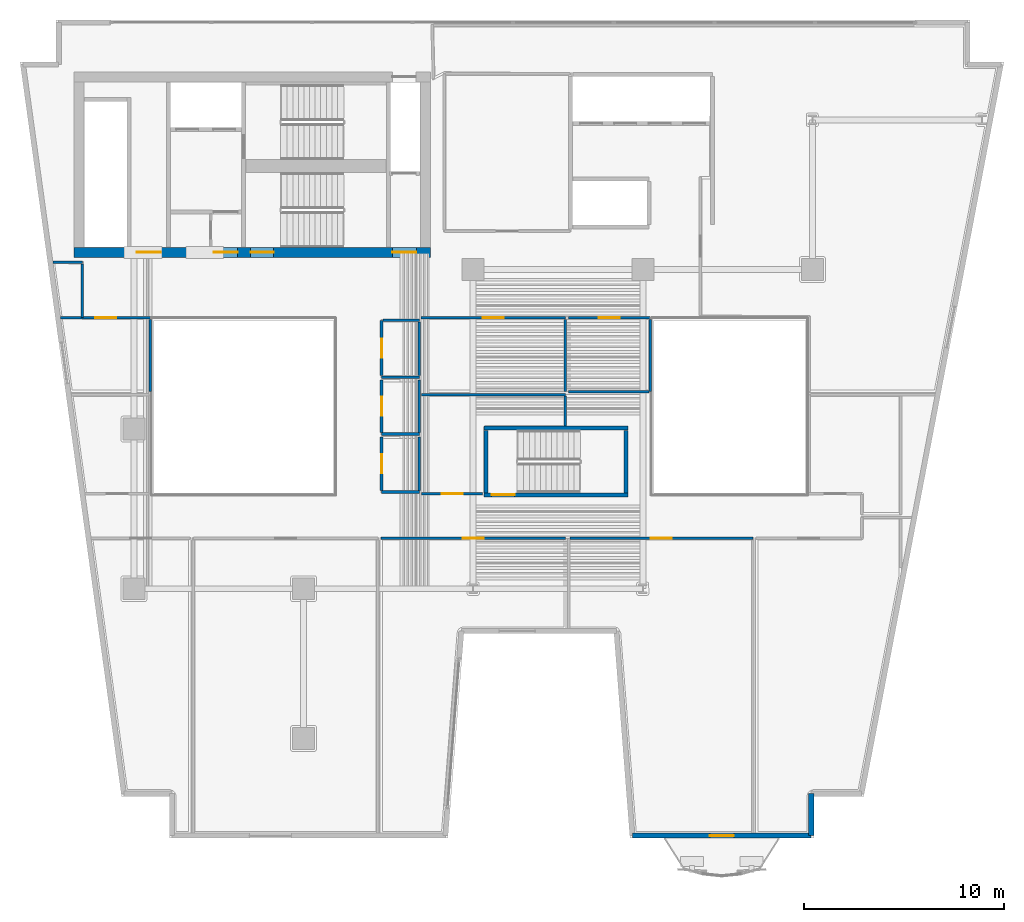
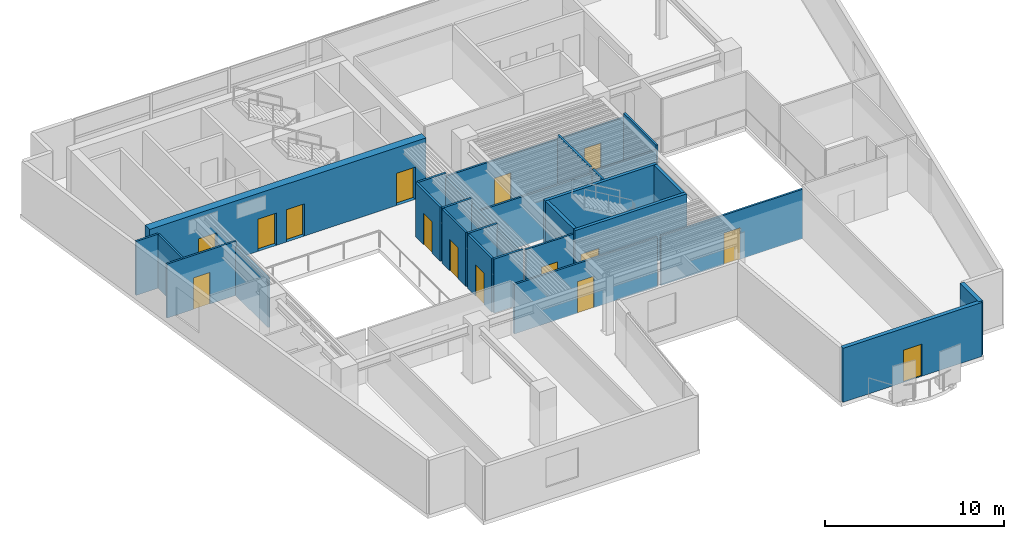
# One storey, part 6 of 13: 31 walls, 15 doors, 15 openings.
"""IFC4 building model written with IfcOpenShell, lengths in metres."""

from ifc_helpers import new_model, si_unit, direction, frame, frame_2d, origin, place, context, subcontext, project, spatial, rectangle, extrude, material, layer, layer_set, type_object, element, fill, save


model = new_model("IFC4")

# Units and contexts
model_context = context("Model", 3, precision=1e-05, world=origin(), true_north=direction((0.0, 1.0)))
body_context = subcontext(model_context, "Body", "Model", "MODEL_VIEW")
ifc_project = project(units=[si_unit("LENGTHUNIT", "METRE"), si_unit("AREAUNIT", "SQUARE_METRE"), si_unit("VOLUMEUNIT", "CUBIC_METRE"), si_unit("PLANEANGLEUNIT", "RADIAN"), si_unit("MASSUNIT", "GRAM", prefix="KILO")], contexts=[model_context])

# Site, building, storey
site_placement = place(None, origin())
site = spatial("IfcSite", under=ifc_project, at=site_placement, CompositionType="ELEMENT")
building_placement = place(site_placement, origin())
building = spatial("IfcBuilding", under=site, at=building_placement, Name="Caeloran Harvest Quay", CompositionType="ELEMENT")
storey_placement = place(building_placement, frame((0.0, 0.0, 166.699951171875)))
storey = spatial("IfcBuildingStorey", under=building, at=storey_placement, Name="L39", CompositionType="ELEMENT", Elevation=166.699951171875)

# Wall
ifc_material_1 = material(Name="Precast concrete C50/60", Category="concrete")
ifc_layer_1 = layer(ifc_material_1, 0.260009765625, Name="Precast concrete C50/60")
ifc_layer_set_1 = layer_set([ifc_layer_1], Name="Precast concrete C50/60")
wall_type_1 = type_object("IfcWallType", Name="ENV-WALL-EW-260", PredefinedType="STANDARD", material=ifc_layer_set_1)
wall_1_placement = place(storey_placement, frame((42.43994140625, 4.72998046875, 0.0), z_axis=(0.0, 0.0, 1.0), x_axis=(0.0, -1.0, 0.0)))
element("IfcWall", 1, at=wall_1_placement, inside=storey, type_object=wall_type_1, Name="L39 Exterior Precast Concrete Facade Wall 11", PredefinedType="STANDARD", context=body_context, shape_type="SweptSolid", body=[
    extrude(rectangle(XDim=2.10009765625, YDim=0.260009765625, at=frame_2d((1.050048828125, 0.0))), origin(), (0.0, 0.0, 1.0), 3.68994140625),
])

# Wall, opening, door
wall_2_placement = place(storey_placement, frame((42.43994140625, 2.6298828125, 0.0), z_axis=(0.0, 0.0, 1.0), x_axis=(-1.0, 0.0, 0.0)))
wall_2 = element("IfcWall", 2, at=wall_2_placement, inside=storey, type_object=wall_type_1, Name="L39 Exterior Precast Concrete Facade Wall 12", PredefinedType="STANDARD", context=body_context, shape_type="SweptSolid", body=[
    extrude(rectangle(XDim=8.96484375, YDim=0.260009765625, at=frame_2d((4.482421875, 0.0))), origin(), (0.0, 0.0, 1.0), 3.68994140625),
])
opening_1_placement = place(wall_2_placement, frame((3.882080078125, 0.0, 0.0)))
opening_1 = element("IfcOpeningElement", 3, at=opening_1_placement, cuts=wall_2, Name="Opening BD-01", PredefinedType="OPENING", context=body_context, shape_type="SweptSolid", body=[
    extrude(rectangle(XDim=1.199951171875, YDim=2.199951171875, at=frame_2d((0.60009765625, 1.10009765625))), frame((0.0, 0.14013671875, 0.0), z_axis=(0.0, -1.0, 0.0), x_axis=(1.0, 0.0, 0.0)), (0.0, 0.0, 1.0), 0.280029296875),
])
ifc_material_2 = material(Name="Thermally Broken Powder-Coated Aluminium and Safety Glass", Category="aluminium")
door_type_1 = type_object("IfcDoorType", Name="EXTDOOR-BD-01", OperationType="NOTDEFINED", PredefinedType="DOOR", material=ifc_material_2)
door_1_placement = place(opening_1_placement, origin())
door_1 = element("IfcDoor", 4, at=door_1_placement, inside=storey, type_object=door_type_1, Name="L39 Planted Balcony Glazed Access Door", OperationType="SINGLE_SWING_RIGHT", OverallHeight=2.199951171875, OverallWidth=1.199951171875, PredefinedType="DOOR", context=body_context, shape_type="SweptSolid", body=[
    extrude(rectangle(XDim=1.199951171875, YDim=2.199951171875, at=frame_2d((0.60009765625, 1.10009765625))), frame((0.0, 0.02490234375, 0.0), z_axis=(0.0, -1.0, 0.0), x_axis=(1.0, 0.0, 0.0)), (0.0, 0.0, 1.0), 0.050048828125),
])
fill(opening_1, door_1)

ifc_material_3 = material(Name="Twin-Stud Mineral-Wool Acoustic Gypsum Partition", Category="gypsum")
ifc_layer_2 = layer(ifc_material_3, 0.125, Name="Twin-Stud Mineral-Wool Acoustic Gypsum Partition")
ifc_layer_set_2 = layer_set([ifc_layer_2], Name="Twin-Stud Mineral-Wool Acoustic Gypsum Partition")
wall_type_2 = type_object("IfcWallType", Name="INT-WALL-PW-125", PredefinedType="PARTITIONING", material=ifc_layer_set_2)
wall_3_placement = place(storey_placement, frame((30.347412109375, 17.52001953125, 0.0), z_axis=(0.0, 0.0, 1.0), x_axis=(1.0, 0.0, 0.0)))
wall_3 = element("IfcWall", 5, at=wall_3_placement, inside=storey, type_object=wall_type_2, Name="Carbon Credit Seminar Room Partition Wall", PredefinedType="PARTITIONING", context=body_context, shape_type="SweptSolid", body=[
    extrude(rectangle(XDim=9.172607421875, YDim=0.125, at=frame_2d((4.58642578125, 0.0))), origin(), (0.0, 0.0, 1.0), 3.375),
])
opening_2_placement = place(wall_3_placement, frame((4.061279296875, 0.0, 0.0)))
opening_2 = element("IfcOpeningElement", 6, at=opening_2_placement, cuts=wall_3, Name="Opening ID-03", PredefinedType="OPENING", context=body_context, shape_type="SweptSolid", body=[
    extrude(rectangle(XDim=1.050048828125, YDim=2.14990234375, at=frame_2d((0.52490234375, 1.074951171875))), frame((0.0, 0.072509765625, 0.0), z_axis=(0.0, -1.0, 0.0), x_axis=(1.0, 0.0, 0.0)), (0.0, 0.0, 1.0), 0.14501953125),
])
ifc_material_4 = material(Name="FSC Solid-Core Oak Timber Leaf", Category="wood")
door_type_2 = type_object("IfcDoorType", Name="INTDOOR-ID-03", OperationType="NOTDEFINED", PredefinedType="DOOR", material=ifc_material_4)
door_2_placement = place(opening_2_placement, origin())
door_2 = element("IfcDoor", 7, at=door_2_placement, inside=storey, type_object=door_type_2, Name="Carbon Credit Seminar Room Access Door", OperationType="SINGLE_SWING_RIGHT", OverallHeight=2.14990234375, OverallWidth=1.050048828125, PredefinedType="DOOR", context=body_context, shape_type="SweptSolid", body=[
    extrude(rectangle(XDim=1.050048828125, YDim=2.14990234375, at=frame_2d((0.52490234375, 1.074951171875))), frame((0.0, 0.02490234375, 0.0), z_axis=(0.0, -1.0, 0.0), x_axis=(1.0, 0.0, 0.0)), (0.0, 0.0, 1.0), 0.050048828125),
])
fill(opening_2, door_2)

wall_4_placement = place(storey_placement, frame((20.8798828125, 17.52001953125, 0.0), z_axis=(0.0, 0.0, 1.0), x_axis=(1.0, 0.0, 0.0)))
wall_4 = element("IfcWall", 8, at=wall_4_placement, inside=storey, type_object=wall_type_2, Name="Hospitality Catering Kitchen Partition Wall", PredefinedType="PARTITIONING", context=body_context, shape_type="SweptSolid", body=[
    extrude(rectangle(XDim=9.240234375, YDim=0.125, at=frame_2d((4.6201171875, 0.0))), origin(), (0.0, 0.0, 1.0), 3.375),
])
opening_3_placement = place(wall_4_placement, frame((4.094970703125, 0.0, 0.0)))
opening_3 = element("IfcOpeningElement", 9, at=opening_3_placement, cuts=wall_4, Name="Opening ID-03", PredefinedType="OPENING", context=body_context, shape_type="SweptSolid", body=[
    extrude(rectangle(XDim=1.050048828125, YDim=2.14990234375, at=frame_2d((0.52490234375, 1.074951171875))), frame((0.0, 0.072509765625, 0.0), z_axis=(0.0, -1.0, 0.0), x_axis=(1.0, 0.0, 0.0)), (0.0, 0.0, 1.0), 0.14501953125),
])
door_3_placement = place(opening_3_placement, origin())
door_3 = element("IfcDoor", 10, at=door_3_placement, inside=storey, type_object=door_type_2, Name="Hospitality Catering Kitchen Access Door", OperationType="SINGLE_SWING_LEFT", OverallHeight=2.14990234375, OverallWidth=1.050048828125, PredefinedType="DOOR", context=body_context, shape_type="SweptSolid", body=[
    extrude(rectangle(XDim=1.050048828125, YDim=2.14990234375, at=frame_2d((0.52490234375, 1.074951171875))), frame((0.0, 0.02490234375, 0.0), z_axis=(0.0, -1.0, 0.0), x_axis=(1.0, 0.0, 0.0)), (0.0, 0.0, 1.0), 0.050048828125),
])
fill(opening_3, door_3)

wall_5_placement = place(storey_placement, frame((25.9755859375, 19.75, 0.0), z_axis=(0.0, 0.0, 1.0), x_axis=(-1.0, 0.0, 0.0)))
wall_5 = element("IfcWall", 11, at=wall_5_placement, inside=storey, type_object=wall_type_2, Name="Agro-Finance Summit Conference Hall 8 Partition Wall", PredefinedType="PARTITIONING", context=body_context, shape_type="SweptSolid", body=[
    extrude(rectangle(XDim=3.065673828125, YDim=0.125, at=frame_2d((1.53271484375, 0.0))), origin(), (0.0, 0.0, 1.0), 3.68994140625),
])
opening_4_placement = place(wall_5_placement, frame((1.0078125, 0.0, 0.0)))
opening_4 = element("IfcOpeningElement", 12, at=opening_4_placement, cuts=wall_5, Name="Opening ID-03", PredefinedType="OPENING", context=body_context, shape_type="SweptSolid", body=[
    extrude(rectangle(XDim=1.050048828125, YDim=2.14990234375, at=frame_2d((0.52490234375, 1.074951171875))), frame((0.0, 0.072509765625, 0.0), z_axis=(0.0, -1.0, 0.0), x_axis=(1.0, 0.0, 0.0)), (0.0, 0.0, 1.0), 0.14501953125),
])
door_4_placement = place(opening_4_placement, origin())
door_4 = element("IfcDoor", 13, at=door_4_placement, inside=storey, type_object=door_type_2, Name="Agro-Finance Summit Conference Hall 8 Access Door", OperationType="SINGLE_SWING_RIGHT", OverallHeight=2.14990234375, OverallWidth=1.050048828125, PredefinedType="DOOR", context=body_context, shape_type="SweptSolid", body=[
    extrude(rectangle(XDim=1.050048828125, YDim=2.14990234375, at=frame_2d((0.52490234375, 1.074951171875))), frame((0.0, 0.02490234375, 0.0), z_axis=(0.0, -1.0, 0.0), x_axis=(1.0, 0.0, 0.0)), (0.0, 0.0, 1.0), 0.050048828125),
])
fill(opening_4, door_4)

# Walls
wall_6_placement = place(storey_placement, frame((22.909912109375, 24.719970703125, 0.0), z_axis=(0.0, 0.0, 1.0), x_axis=(1.0, 0.0, 0.0)))
element("IfcWall", 14, at=wall_6_placement, inside=storey, type_object=wall_type_2, Name="Agro-Finance Summit Conference Hall 8 Partition Wall", PredefinedType="PARTITIONING", context=body_context, shape_type="SweptSolid", body=[
    extrude(rectangle(XDim=7.210205078125, YDim=0.125, at=frame_2d((3.60498046875, 0.0))), origin(), (0.0, 0.0, 1.0), 3.375),
])
wall_7_placement = place(storey_placement, frame((30.1201171875, 24.652587890625, 0.0), z_axis=(0.0, 0.0, 1.0), x_axis=(0.0, -1.0, 0.0)))
element("IfcWall", 15, at=wall_7_placement, inside=storey, type_object=wall_type_2, Name="Agro-Finance Summit Conference Hall 8 Partition Wall", PredefinedType="PARTITIONING", context=body_context, shape_type="SweptSolid", body=[
    extrude(rectangle(XDim=1.49755859375, YDim=0.125, at=frame_2d((0.748779296875, 0.0))), origin(), (0.0, 0.0, 1.0), 3.68994140625),
])

# Wall, opening, door
wall_8_placement = place(storey_placement, frame((22.889892578125, 28.570068359375, 0.0), z_axis=(0.0, 0.0, 1.0), x_axis=(1.0, 0.0, 0.0)))
wall_8 = element("IfcWall", 16, at=wall_8_placement, inside=storey, type_object=wall_type_2, Name="Carbon Credit Seminar Room 9 Partition Wall", PredefinedType="PARTITIONING", context=body_context, shape_type="SweptSolid", body=[
    extrude(rectangle(XDim=7.230224609375, YDim=0.125, at=frame_2d((3.615234375, 0.0))), origin(), (0.0, 0.0, 1.0), 3.375),
])
opening_5_placement = place(wall_8_placement, frame((3.090087890625, 0.0, 0.0)))
opening_5 = element("IfcOpeningElement", 17, at=opening_5_placement, cuts=wall_8, Name="Opening ID-03", PredefinedType="OPENING", context=body_context, shape_type="SweptSolid", body=[
    extrude(rectangle(XDim=1.050048828125, YDim=2.14990234375, at=frame_2d((0.52490234375, 1.074951171875))), frame((0.0, 0.072509765625, 0.0), z_axis=(0.0, -1.0, 0.0), x_axis=(1.0, 0.0, 0.0)), (0.0, 0.0, 1.0), 0.14501953125),
])
door_5_placement = place(opening_5_placement, origin())
door_5 = element("IfcDoor", 18, at=door_5_placement, inside=storey, type_object=door_type_2, Name="Carbon Credit Seminar Room 9 Access Door", OperationType="SINGLE_SWING_LEFT", OverallHeight=2.14990234375, OverallWidth=1.050048828125, PredefinedType="DOOR", context=body_context, shape_type="SweptSolid", body=[
    extrude(rectangle(XDim=1.050048828125, YDim=2.14990234375, at=frame_2d((0.52490234375, 1.074951171875))), frame((0.0, 0.02490234375, 0.0), z_axis=(0.0, -1.0, 0.0), x_axis=(1.0, 0.0, 0.0)), (0.0, 0.0, 1.0), 0.050048828125),
])
fill(opening_5, door_5)

# Wall
wall_9_placement = place(storey_placement, frame((30.1201171875, 28.50244140625, 0.0), z_axis=(0.0, 0.0, 1.0), x_axis=(0.0, -1.0, 0.0)))
element("IfcWall", 19, at=wall_9_placement, inside=storey, type_object=wall_type_2, Name="Carbon Credit Seminar Room 9 Partition Wall", PredefinedType="PARTITIONING", context=body_context, shape_type="SweptSolid", body=[
    extrude(rectangle(XDim=3.62255859375, YDim=0.125, at=frame_2d((1.811279296875, 0.0))), origin(), (0.0, 0.0, 1.0), 3.68994140625),
])

# Wall, opening, door
wall_10_placement = place(storey_placement, frame((30.280029296875, 28.570068359375, 0.0), z_axis=(0.0, 0.0, 1.0), x_axis=(1.0, 0.0, 0.0)))
wall_10 = element("IfcWall", 20, at=wall_10_placement, inside=storey, type_object=wall_type_2, Name="Commodities Briefing Boardroom 10 Partition Wall", PredefinedType="PARTITIONING", context=body_context, shape_type="SweptSolid", body=[
    extrude(rectangle(XDim=4.090087890625, YDim=0.125, at=frame_2d((2.044921875, 0.0))), origin(), (0.0, 0.0, 1.0), 3.375),
])
opening_6_placement = place(wall_10_placement, frame((1.52001953125, 0.0, 0.0)))
opening_6 = element("IfcOpeningElement", 21, at=opening_6_placement, cuts=wall_10, Name="Opening ID-03", PredefinedType="OPENING", context=body_context, shape_type="SweptSolid", body=[
    extrude(rectangle(XDim=1.050048828125, YDim=2.14990234375, at=frame_2d((0.52490234375, 1.074951171875))), frame((0.0, 0.072509765625, 0.0), z_axis=(0.0, -1.0, 0.0), x_axis=(1.0, 0.0, 0.0)), (0.0, 0.0, 1.0), 0.14501953125),
])
door_6_placement = place(opening_6_placement, origin())
door_6 = element("IfcDoor", 22, at=door_6_placement, inside=storey, type_object=door_type_2, Name="Commodities Briefing Boardroom 10 Access Door", OperationType="SINGLE_SWING_RIGHT", OverallHeight=2.14990234375, OverallWidth=1.050048828125, PredefinedType="DOOR", context=body_context, shape_type="SweptSolid", body=[
    extrude(rectangle(XDim=1.050048828125, YDim=2.14990234375, at=frame_2d((0.52490234375, 1.074951171875))), frame((0.0, 0.02490234375, 0.0), z_axis=(0.0, -1.0, 0.0), x_axis=(1.0, 0.0, 0.0)), (0.0, 0.0, 1.0), 0.050048828125),
])
fill(opening_6, door_6)

# Walls
wall_11_placement = place(storey_placement, frame((34.3701171875, 28.50244140625, 0.0), z_axis=(0.0, 0.0, 1.0), x_axis=(0.0, -1.0, 0.0)))
element("IfcWall", 23, at=wall_11_placement, inside=storey, type_object=wall_type_2, Name="Commodities Briefing Boardroom 10 Partition Wall", PredefinedType="PARTITIONING", context=body_context, shape_type="SweptSolid", body=[
    extrude(rectangle(XDim=3.62255859375, YDim=0.125, at=frame_2d((1.811279296875, 0.0))), origin(), (0.0, 0.0, 1.0), 3.68994140625),
])
wall_12_placement = place(storey_placement, frame((34.302490234375, 24.8798828125, 0.0), z_axis=(0.0, 0.0, 1.0), x_axis=(-1.0, 0.0, 0.0)))
element("IfcWall", 24, at=wall_12_placement, inside=storey, type_object=wall_type_2, Name="Commodities Briefing Boardroom 10 Partition Wall", PredefinedType="PARTITIONING", context=body_context, shape_type="SweptSolid", body=[
    extrude(rectangle(XDim=4.0224609375, YDim=0.125, at=frame_2d((2.01123046875, 0.0))), origin(), (0.0, 0.0, 1.0), 3.375),
])
wall_13_placement = place(storey_placement, frame((4.44775390625, 31.35009765625, 0.0), z_axis=(0.0, 0.0, 1.0), x_axis=(1.0, 0.0, 0.0)))
element("IfcWall", 25, at=wall_13_placement, inside=storey, type_object=wall_type_2, Name="Investor Espresso Kitchen 11 Partition Wall", PredefinedType="PARTITIONING", context=body_context, shape_type="SweptSolid", body=[
    extrude(rectangle(XDim=1.47216796875, YDim=0.125, at=frame_2d((0.736083984375, 0.0))), origin(), (0.0, 0.0, 1.0), 3.68994140625),
])
wall_14_placement = place(storey_placement, frame((5.919921875, 31.282470703125, 0.0), z_axis=(0.0, 0.0, 1.0), x_axis=(0.0, -1.0, 0.0)))
element("IfcWall", 26, at=wall_14_placement, inside=storey, type_object=wall_type_2, Name="Investor Espresso Kitchen 11 Partition Wall", PredefinedType="PARTITIONING", context=body_context, shape_type="SweptSolid", body=[
    extrude(rectangle(XDim=2.682373046875, YDim=0.125, at=frame_2d((1.34130859375, 0.0))), origin(), (0.0, 0.0, 1.0), 3.68994140625),
])

# Wall, opening, door
wall_15_placement = place(storey_placement, frame((4.832275390625, 28.570068359375, 0.0), z_axis=(0.0, 0.0, 1.0), x_axis=(1.0, 0.0, 0.0)))
wall_15 = element("IfcWall", 27, at=wall_15_placement, inside=storey, type_object=wall_type_2, Name="Investor Espresso Kitchen 11 Partition Wall", PredefinedType="PARTITIONING", context=body_context, shape_type="SweptSolid", body=[
    extrude(rectangle(XDim=4.48779296875, YDim=0.125, at=frame_2d((2.243896484375, 0.0))), origin(), (0.0, 0.0, 1.0), 3.68994140625),
])
opening_7_placement = place(wall_15_placement, frame((1.718994140625, 0.0, 0.0)))
opening_7 = element("IfcOpeningElement", 28, at=opening_7_placement, cuts=wall_15, Name="Opening ID-03", PredefinedType="OPENING", context=body_context, shape_type="SweptSolid", body=[
    extrude(rectangle(XDim=1.050048828125, YDim=2.14990234375, at=frame_2d((0.52490234375, 1.074951171875))), frame((0.0, 0.072509765625, 0.0), z_axis=(0.0, -1.0, 0.0), x_axis=(1.0, 0.0, 0.0)), (0.0, 0.0, 1.0), 0.14501953125),
])
door_7_placement = place(opening_7_placement, origin())
door_7 = element("IfcDoor", 29, at=door_7_placement, inside=storey, type_object=door_type_2, Name="Investor Espresso Kitchen 11 Access Door", OperationType="SINGLE_SWING_LEFT", OverallHeight=2.14990234375, OverallWidth=1.050048828125, PredefinedType="DOOR", context=body_context, shape_type="SweptSolid", body=[
    extrude(rectangle(XDim=1.050048828125, YDim=2.14990234375, at=frame_2d((0.52490234375, 1.074951171875))), frame((0.0, 0.02490234375, 0.0), z_axis=(0.0, -1.0, 0.0), x_axis=(1.0, 0.0, 0.0)), (0.0, 0.0, 1.0), 0.050048828125),
])
fill(opening_7, door_7)

# Walls
wall_16_placement = place(storey_placement, frame((9.320068359375, 28.50244140625, 0.0), z_axis=(0.0, 0.0, 1.0), x_axis=(0.0, -1.0, 0.0)))
element("IfcWall", 30, at=wall_16_placement, inside=storey, type_object=wall_type_2, Name="Investor Espresso Kitchen 11 Partition Wall", PredefinedType="PARTITIONING", context=body_context, shape_type="SweptSolid", body=[
    extrude(rectangle(XDim=3.62255859375, YDim=0.125, at=frame_2d((1.811279296875, 0.0))), origin(), (0.0, 0.0, 1.0), 3.375),
])
ifc_material_5 = material(Name="Moisture-Resistant Cement-Board Sanitary Partition", Category="gypsum")
ifc_layer_3 = layer(ifc_material_5, 0.139892578125, Name="Moisture-Resistant Cement-Board Sanitary Partition")
ifc_layer_set_3 = layer_set([ifc_layer_3], Name="Moisture-Resistant Cement-Board Sanitary Partition")
wall_type_3 = type_object("IfcWallType", Name="INT-WALL-PW-140", PredefinedType="PARTITIONING", material=ifc_layer_set_3)
wall_17_placement = place(storey_placement, frame((22.800048828125, 25.60009765625, 0.0), z_axis=(0.0, 0.0, 1.0), x_axis=(-1.0, 0.0, 0.0)))
element("IfcWall", 31, at=wall_17_placement, inside=storey, type_object=wall_type_3, Name="L39 Male Washroom WC Partition Wall", PredefinedType="PARTITIONING", context=body_context, shape_type="SweptSolid", body=[
    extrude(rectangle(XDim=1.89013671875, YDim=0.139892578125, at=frame_2d((0.945068359375, 0.0))), origin(), (0.0, 0.0, 1.0), 3.68994140625),
])

# Wall, opening, door
wall_18_placement = place(storey_placement, frame((20.909912109375, 25.675048828125, 0.0), z_axis=(0.0, 0.0, 1.0), x_axis=(0.0, 1.0, 0.0)))
wall_18 = element("IfcWall", 32, at=wall_18_placement, inside=storey, type_object=wall_type_3, Name="L39 Male Washroom WC Partition Wall", PredefinedType="PARTITIONING", context=body_context, shape_type="SweptSolid", body=[
    extrude(rectangle(XDim=2.77490234375, YDim=0.139892578125, at=frame_2d((1.387451171875, 0.0))), origin(), (0.0, 0.0, 1.0), 3.68994140625),
])
opening_8_placement = place(wall_18_placement, frame((0.91259765625, 0.0, 0.0)))
opening_8 = element("IfcOpeningElement", 33, at=opening_8_placement, cuts=wall_18, Name="Opening WC-01", PredefinedType="OPENING", context=body_context, shape_type="SweptSolid", body=[
    extrude(rectangle(XDim=0.949951171875, YDim=2.14990234375, at=frame_2d((0.47509765625, 1.074951171875))), frame((0.0, 0.080078125, 0.0), z_axis=(0.0, -1.0, 0.0), x_axis=(1.0, 0.0, 0.0)), (0.0, 0.0, 1.0), 0.159912109375),
])
ifc_material_6 = material(Name="High-Pressure Laminate Moisture-Resistant Timber", Category="wood")
door_type_3 = type_object("IfcDoorType", Name="INTDOOR-WC-01", OperationType="NOTDEFINED", PredefinedType="DOOR", material=ifc_material_6)
door_8_placement = place(opening_8_placement, origin())
door_8 = element("IfcDoor", 34, at=door_8_placement, inside=storey, type_object=door_type_3, Name="L39 Male Washroom WC Access Door", OperationType="SINGLE_SWING_RIGHT", OverallHeight=2.14990234375, OverallWidth=0.949951171875, PredefinedType="DOOR", context=body_context, shape_type="SweptSolid", body=[
    extrude(rectangle(XDim=0.949951171875, YDim=2.14990234375, at=frame_2d((0.47509765625, 1.074951171875))), frame((0.0, 0.02490234375, 0.0), z_axis=(0.0, -1.0, 0.0), x_axis=(1.0, 0.0, 0.0)), (0.0, 0.0, 1.0), 0.050048828125),
])
fill(opening_8, door_8)

# Walls
wall_19_placement = place(storey_placement, frame((20.985107421875, 28.449951171875, 0.0), z_axis=(0.0, 0.0, 1.0), x_axis=(1.0, 0.0, 0.0)))
element("IfcWall", 35, at=wall_19_placement, inside=storey, type_object=wall_type_3, Name="L39 Male Washroom WC Partition Wall", PredefinedType="PARTITIONING", context=body_context, shape_type="SweptSolid", body=[
    extrude(rectangle(XDim=1.81494140625, YDim=0.139892578125, at=frame_2d((0.907470703125, 0.0))), origin(), (0.0, 0.0, 1.0), 3.68994140625),
])
wall_20_placement = place(storey_placement, frame((22.800048828125, 28.375, 0.0), z_axis=(0.0, 0.0, 1.0), x_axis=(0.0, -1.0, 0.0)))
element("IfcWall", 36, at=wall_20_placement, inside=storey, type_object=wall_type_3, Name="L39 Male Washroom WC Partition Wall", PredefinedType="PARTITIONING", context=body_context, shape_type="SweptSolid", body=[
    extrude(rectangle(XDim=2.699951171875, YDim=0.139892578125, at=frame_2d((1.35009765625, 0.0))), origin(), (0.0, 0.0, 1.0), 3.375),
])
wall_21_placement = place(storey_placement, frame((22.800048828125, 22.75, 0.0), z_axis=(0.0, 0.0, 1.0), x_axis=(-1.0, 0.0, 0.0)))
element("IfcWall", 37, at=wall_21_placement, inside=storey, type_object=wall_type_3, Name="L39 Female Washroom WC Partition Wall", PredefinedType="PARTITIONING", context=body_context, shape_type="SweptSolid", body=[
    extrude(rectangle(XDim=1.89013671875, YDim=0.139892578125, at=frame_2d((0.945068359375, 0.0))), origin(), (0.0, 0.0, 1.0), 3.68994140625),
])

# Wall, opening, door
wall_22_placement = place(storey_placement, frame((20.909912109375, 22.824951171875, 0.0), z_axis=(0.0, 0.0, 1.0), x_axis=(0.0, 1.0, 0.0)))
wall_22 = element("IfcWall", 38, at=wall_22_placement, inside=storey, type_object=wall_type_3, Name="L39 Female Washroom WC Partition Wall", PredefinedType="PARTITIONING", context=body_context, shape_type="SweptSolid", body=[
    extrude(rectangle(XDim=2.625, YDim=0.139892578125, at=frame_2d((1.3125, 0.0))), origin(), (0.0, 0.0, 1.0), 3.68994140625),
])
opening_9_placement = place(wall_22_placement, frame((0.83740234375, 0.0, 0.0)))
opening_9 = element("IfcOpeningElement", 39, at=opening_9_placement, cuts=wall_22, Name="Opening WC-01", PredefinedType="OPENING", context=body_context, shape_type="SweptSolid", body=[
    extrude(rectangle(XDim=0.949951171875, YDim=2.14990234375, at=frame_2d((0.47509765625, 1.074951171875))), frame((0.0, 0.080078125, 0.0), z_axis=(0.0, -1.0, 0.0), x_axis=(1.0, 0.0, 0.0)), (0.0, 0.0, 1.0), 0.159912109375),
])
door_9_placement = place(opening_9_placement, origin())
door_9 = element("IfcDoor", 40, at=door_9_placement, inside=storey, type_object=door_type_3, Name="L39 Female Washroom WC Access Door", OperationType="SINGLE_SWING_LEFT", OverallHeight=2.14990234375, OverallWidth=0.949951171875, PredefinedType="DOOR", context=body_context, shape_type="SweptSolid", body=[
    extrude(rectangle(XDim=0.949951171875, YDim=2.14990234375, at=frame_2d((0.47509765625, 1.074951171875))), frame((0.0, 0.02490234375, 0.0), z_axis=(0.0, -1.0, 0.0), x_axis=(1.0, 0.0, 0.0)), (0.0, 0.0, 1.0), 0.050048828125),
])
fill(opening_9, door_9)

# Walls
wall_23_placement = place(storey_placement, frame((22.800048828125, 25.449951171875, 0.0), z_axis=(0.0, 0.0, 1.0), x_axis=(0.0, -1.0, 0.0)))
element("IfcWall", 41, at=wall_23_placement, inside=storey, type_object=wall_type_3, Name="L39 Female Washroom WC Partition Wall", PredefinedType="PARTITIONING", context=body_context, shape_type="SweptSolid", body=[
    extrude(rectangle(XDim=2.625, YDim=0.139892578125, at=frame_2d((1.3125, 0.0))), origin(), (0.0, 0.0, 1.0), 3.375),
])
wall_24_placement = place(storey_placement, frame((22.800048828125, 19.85009765625, 0.0), z_axis=(0.0, 0.0, 1.0), x_axis=(-1.0, 0.0, 0.0)))
element("IfcWall", 42, at=wall_24_placement, inside=storey, type_object=wall_type_3, Name="L39 Accessible Unisex Washroom WC Partition Wall", PredefinedType="PARTITIONING", context=body_context, shape_type="SweptSolid", body=[
    extrude(rectangle(XDim=1.89013671875, YDim=0.139892578125, at=frame_2d((0.945068359375, 0.0))), origin(), (0.0, 0.0, 1.0), 3.68994140625),
])

# Wall, opening, door
wall_25_placement = place(storey_placement, frame((20.909912109375, 19.925048828125, 0.0), z_axis=(0.0, 0.0, 1.0), x_axis=(0.0, 1.0, 0.0)))
wall_25 = element("IfcWall", 43, at=wall_25_placement, inside=storey, type_object=wall_type_3, Name="L39 Accessible Unisex Washroom WC Partition Wall", PredefinedType="PARTITIONING", context=body_context, shape_type="SweptSolid", body=[
    extrude(rectangle(XDim=2.675048828125, YDim=0.139892578125, at=frame_2d((1.33740234375, 0.0))), origin(), (0.0, 0.0, 1.0), 3.68994140625),
])
opening_10_placement = place(wall_25_placement, frame((0.862548828125, 0.0, 0.0)))
opening_10 = element("IfcOpeningElement", 44, at=opening_10_placement, cuts=wall_25, Name="Opening WC-01", PredefinedType="OPENING", context=body_context, shape_type="SweptSolid", body=[
    extrude(rectangle(XDim=0.949951171875, YDim=2.14990234375, at=frame_2d((0.47509765625, 1.074951171875))), frame((0.0, 0.080078125, 0.0), z_axis=(0.0, -1.0, 0.0), x_axis=(1.0, 0.0, 0.0)), (0.0, 0.0, 1.0), 0.159912109375),
])
door_10_placement = place(opening_10_placement, origin())
door_10 = element("IfcDoor", 45, at=door_10_placement, inside=storey, type_object=door_type_3, Name="L39 Accessible Unisex Washroom WC Access Door", OperationType="SINGLE_SWING_RIGHT", OverallHeight=2.14990234375, OverallWidth=0.949951171875, PredefinedType="DOOR", context=body_context, shape_type="SweptSolid", body=[
    extrude(rectangle(XDim=0.949951171875, YDim=2.14990234375, at=frame_2d((0.47509765625, 1.074951171875))), frame((0.0, 0.02490234375, 0.0), z_axis=(0.0, -1.0, 0.0), x_axis=(1.0, 0.0, 0.0)), (0.0, 0.0, 1.0), 0.050048828125),
])
fill(opening_10, door_10)

# Wall
wall_26_placement = place(storey_placement, frame((22.800048828125, 22.60009765625, 0.0), z_axis=(0.0, 0.0, 1.0), x_axis=(0.0, -1.0, 0.0)))
element("IfcWall", 46, at=wall_26_placement, inside=storey, type_object=wall_type_3, Name="L39 Accessible Unisex Washroom WC Partition Wall", PredefinedType="PARTITIONING", context=body_context, shape_type="SweptSolid", body=[
    extrude(rectangle(XDim=2.675048828125, YDim=0.139892578125, at=frame_2d((1.33740234375, 0.0))), origin(), (0.0, 0.0, 1.0), 3.375),
])

# Wall, openings, doors
ifc_material_7 = material(Name="Concrete C70/85", Category="concrete")
ifc_layer_4 = layer(ifc_material_7, 0.5, Name="Concrete C70/85")
ifc_layer_set_4 = layer_set([ifc_layer_4], Name="Concrete C70/85")
wall_type_4 = type_object("IfcWallType", Name="STR-WALL-CW-500", PredefinedType="SHEAR", material=ifc_layer_set_4)
wall_27_placement = place(storey_placement, frame((5.5, 31.85009765625, 0.0), z_axis=(0.0, 0.0, 1.0), x_axis=(1.0, 0.0, 0.0)))
wall_27 = element("IfcWall", 47, at=wall_27_placement, inside=storey, type_object=wall_type_4, Name="L39 Rear Core Shear Wall S", PredefinedType="SHEAR", context=body_context, shape_type="SweptSolid", body=[
    extrude(rectangle(XDim=17.85009765625, YDim=0.5, at=frame_2d((8.925048828125, 0.0))), origin(), (0.0, 0.0, 1.0), 3.949951171875),
])
opening_11_placement = place(wall_27_placement, frame((3.14990234375, 0.0, 0.0)))
opening_11 = element("IfcOpeningElement", 48, at=opening_11_placement, cuts=wall_27, Name="Opening FD-01", PredefinedType="OPENING", context=body_context, shape_type="SweptSolid", body=[
    extrude(rectangle(XDim=1.199951171875, YDim=2.199951171875, at=frame_2d((0.60009765625, 1.10009765625))), frame((0.0, 0.260009765625, 0.0), z_axis=(0.0, -1.0, 0.0), x_axis=(1.0, 0.0, 0.0)), (0.0, 0.0, 1.0), 0.52001953125),
])
opening_12_placement = place(wall_27_placement, frame((7.0, 0.0, 0.0)))
opening_12 = element("IfcOpeningElement", 49, at=opening_12_placement, cuts=wall_27, Name="Opening FD-01", PredefinedType="OPENING", context=body_context, shape_type="SweptSolid", body=[
    extrude(rectangle(XDim=1.199951171875, YDim=2.199951171875, at=frame_2d((0.60009765625, 1.10009765625))), frame((0.0, 0.260009765625, 0.0), z_axis=(0.0, -1.0, 0.0), x_axis=(1.0, 0.0, 0.0)), (0.0, 0.0, 1.0), 0.52001953125),
])
opening_13_placement = place(wall_27_placement, frame((8.85009765625, 0.0, 0.0)))
opening_13 = element("IfcOpeningElement", 50, at=opening_13_placement, cuts=wall_27, Name="Opening SD-01", PredefinedType="OPENING", context=body_context, shape_type="SweptSolid", body=[
    extrude(rectangle(XDim=1.14990234375, YDim=2.199951171875, at=frame_2d((0.574951171875, 1.10009765625))), frame((0.0, 0.260009765625, 0.0), z_axis=(0.0, -1.0, 0.0), x_axis=(1.0, 0.0, 0.0)), (0.0, 0.0, 1.0), 0.52001953125),
])
opening_14_placement = place(wall_27_placement, frame((15.949951171875, 0.0, 0.0)))
opening_14 = element("IfcOpeningElement", 51, at=opening_14_placement, cuts=wall_27, Name="Opening FD-01", PredefinedType="OPENING", context=body_context, shape_type="SweptSolid", body=[
    extrude(rectangle(XDim=1.199951171875, YDim=2.199951171875, at=frame_2d((0.60009765625, 1.10009765625))), frame((0.0, 0.260009765625, 0.0), z_axis=(0.0, -1.0, 0.0), x_axis=(1.0, 0.0, 0.0)), (0.0, 0.0, 1.0), 0.52001953125),
])
ifc_material_8 = material(Name="Steel", Category="steel")
door_type_4 = type_object("IfcDoorType", Name="INTDOOR-FD-01", OperationType="NOTDEFINED", PredefinedType="DOOR", material=ifc_material_8)
door_11_placement = place(opening_11_placement, origin())
door_11 = element("IfcDoor", 52, at=door_11_placement, inside=storey, type_object=door_type_4, Name="L39 High-Rise Lift Lobby Fire Door", OperationType="SINGLE_SWING_LEFT", OverallHeight=2.199951171875, OverallWidth=1.199951171875, PredefinedType="DOOR", context=body_context, shape_type="SweptSolid", body=[
    extrude(rectangle(XDim=1.199951171875, YDim=2.199951171875, at=frame_2d((0.60009765625, 1.10009765625))), frame((0.0, 0.02490234375, 0.0), z_axis=(0.0, -1.0, 0.0), x_axis=(1.0, 0.0, 0.0)), (0.0, 0.0, 1.0), 0.050048828125),
])
fill(opening_11, door_11)
door_12_placement = place(opening_12_placement, origin())
door_12 = element("IfcDoor", 53, at=door_12_placement, inside=storey, type_object=door_type_4, Name="L39 Firefighting Lobby Vestibule Fire Door", OperationType="SINGLE_SWING_RIGHT", OverallHeight=2.199951171875, OverallWidth=1.199951171875, PredefinedType="DOOR", context=body_context, shape_type="SweptSolid", body=[
    extrude(rectangle(XDim=1.199951171875, YDim=2.199951171875, at=frame_2d((0.60009765625, 1.10009765625))), frame((0.0, 0.02490234375, 0.0), z_axis=(0.0, -1.0, 0.0), x_axis=(1.0, 0.0, 0.0)), (0.0, 0.0, 1.0), 0.050048828125),
])
fill(opening_12, door_12)
door_13_placement = place(opening_14_placement, origin())
door_13 = element("IfcDoor", 54, at=door_13_placement, inside=storey, type_object=door_type_4, Name="L39 Service Lift Lobby Fire Door", OperationType="SINGLE_SWING_RIGHT", OverallHeight=2.199951171875, OverallWidth=1.199951171875, PredefinedType="DOOR", context=body_context, shape_type="SweptSolid", body=[
    extrude(rectangle(XDim=1.199951171875, YDim=2.199951171875, at=frame_2d((0.60009765625, 1.10009765625))), frame((0.0, 0.02490234375, 0.0), z_axis=(0.0, -1.0, 0.0), x_axis=(1.0, 0.0, 0.0)), (0.0, 0.0, 1.0), 0.050048828125),
])
fill(opening_14, door_13)
door_type_5 = type_object("IfcDoorType", Name="INTDOOR-SD-01", OperationType="NOTDEFINED", PredefinedType="DOOR", material=ifc_material_8)
door_14_placement = place(opening_13_placement, origin())
door_14 = element("IfcDoor", 55, at=door_14_placement, inside=storey, type_object=door_type_5, Name="L39 Protected Stair ST-C2 Exit Door", OperationType="SINGLE_SWING_LEFT", OverallHeight=2.199951171875, OverallWidth=1.14990234375, PredefinedType="DOOR", context=body_context, shape_type="SweptSolid", body=[
    extrude(rectangle(XDim=1.14990234375, YDim=2.199951171875, at=frame_2d((0.574951171875, 1.10009765625))), frame((0.0, 0.02490234375, 0.0), z_axis=(0.0, -1.0, 0.0), x_axis=(1.0, 0.0, 0.0)), (0.0, 0.0, 1.0), 0.050048828125),
])
fill(opening_13, door_14)

# Wall, opening, door
ifc_material_9 = material(Name="Concrete C60/75", Category="concrete")
ifc_layer_5 = layer(ifc_material_9, 0.199951171875, Name="Concrete C60/75")
ifc_layer_set_5 = layer_set([ifc_layer_5], Name="Concrete C60/75")
wall_type_5 = type_object("IfcWallType", Name="STR-WALL-SW-200", PredefinedType="SHEAR", material=ifc_layer_set_5)
wall_28_placement = place(storey_placement, frame((26.050048828125, 19.699951171875, 0.0), z_axis=(0.0, 0.0, 1.0), x_axis=(1.0, 0.0, 0.0)))
wall_28 = element("IfcWall", 56, at=wall_28_placement, inside=storey, type_object=wall_type_5, Name="L39 Stair ST-W1 S RC Shaft Shear Wall", PredefinedType="SHEAR", context=body_context, shape_type="SweptSolid", body=[
    extrude(rectangle(XDim=7.199951171875, YDim=0.199951171875, at=frame_2d((3.60009765625, 0.0))), origin(), (0.0, 0.0, 1.0), 3.949951171875),
])
opening_15_placement = place(wall_28_placement, frame((0.3798828125, 0.0, 0.0)))
opening_15 = element("IfcOpeningElement", 57, at=opening_15_placement, cuts=wall_28, Name="Opening SD-01", PredefinedType="OPENING", context=body_context, shape_type="SweptSolid", body=[
    extrude(rectangle(XDim=1.14990234375, YDim=2.199951171875, at=frame_2d((0.574951171875, 1.10009765625))), frame((0.0, 0.10986328125, 0.0), z_axis=(0.0, -1.0, 0.0), x_axis=(1.0, 0.0, 0.0)), (0.0, 0.0, 1.0), 0.219970703125),
])
door_15_placement = place(opening_15_placement, origin())
door_15 = element("IfcDoor", 58, at=door_15_placement, inside=storey, type_object=door_type_5, Name="L39 Protected Exit Stair ST-W1 Fire Door", OperationType="SINGLE_SWING_RIGHT", OverallHeight=2.199951171875, OverallWidth=1.14990234375, PredefinedType="DOOR", context=body_context, shape_type="SweptSolid", body=[
    extrude(rectangle(XDim=1.14990234375, YDim=2.199951171875, at=frame_2d((0.574951171875, 1.10009765625))), frame((0.0, 0.02490234375, 0.0), z_axis=(0.0, -1.0, 0.0), x_axis=(1.0, 0.0, 0.0)), (0.0, 0.0, 1.0), 0.050048828125),
])
fill(opening_15, door_15)

# Walls
wall_29_placement = place(storey_placement, frame((26.050048828125, 23.050048828125, 0.0), z_axis=(0.0, 0.0, 1.0), x_axis=(1.0, 0.0, 0.0)))
element("IfcWall", 59, at=wall_29_placement, inside=storey, type_object=wall_type_5, Name="L39 Stair ST-W1 N RC Shaft Shear Wall", PredefinedType="SHEAR", context=body_context, shape_type="SweptSolid", body=[
    extrude(rectangle(XDim=7.199951171875, YDim=0.199951171875, at=frame_2d((3.60009765625, 0.0))), origin(), (0.0, 0.0, 1.0), 3.949951171875),
])
for number, where, z_axis, x_axis, name in (
    (60, (26.14990234375, 19.81005859375, 0.0), (0.0, 0.0, 1.0), (0.0, 1.0, 0.0), "L39 Stair ST-W1 W RC Shaft Shear Wall"),
    (61, (33.14990234375, 19.81005859375, 0.0), (0.0, 0.0, 1.0), (0.0, 1.0, 0.0), "L39 Stair ST-W1 E RC Shaft Shear Wall"),
):
    element("IfcWall", number, at=place(storey_placement, frame(where, z_axis=z_axis, x_axis=x_axis)), inside=storey, type_object=wall_type_5, Name=name, PredefinedType="SHEAR", context=body_context, shape_type="SweptSolid", body=[
        extrude(rectangle(XDim=3.1298828125, YDim=0.199951171875, at=frame_2d((1.56494140625, 0.0))), origin(), (0.0, 0.0, 1.0), 3.949951171875),
    ])

save(model, "model.ifc")
